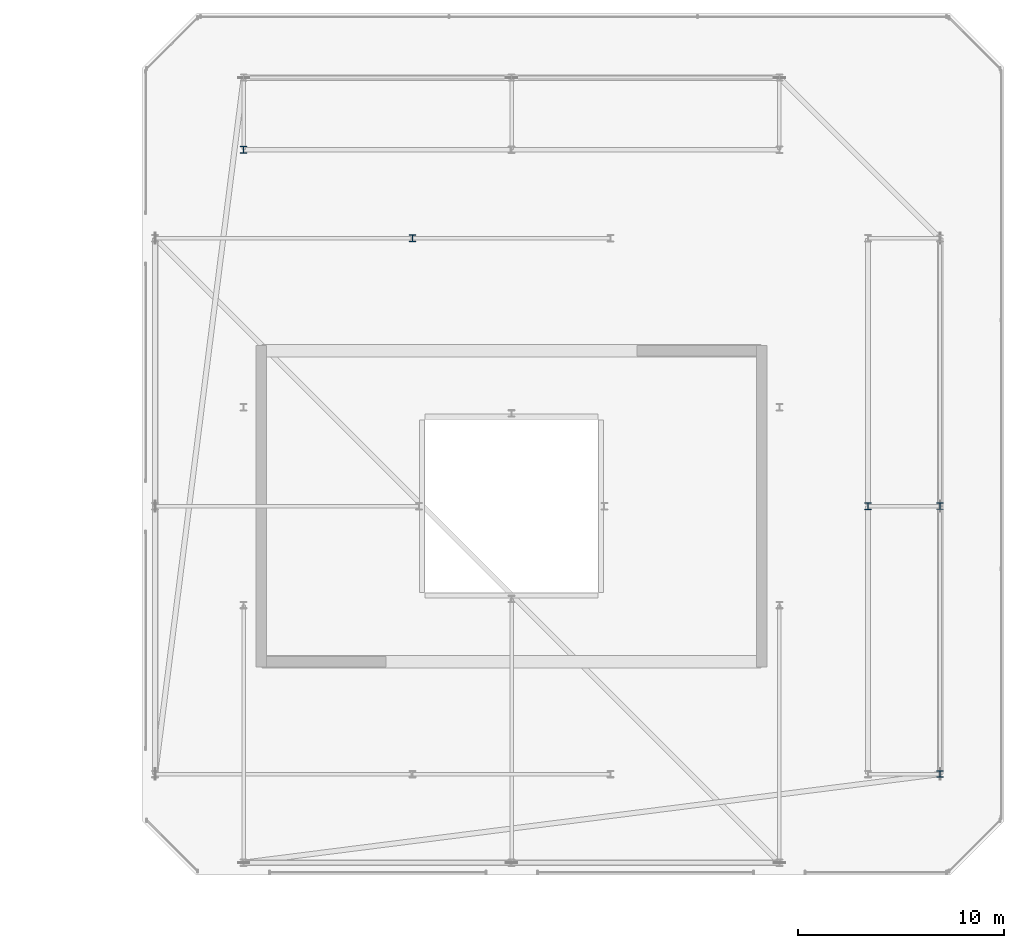
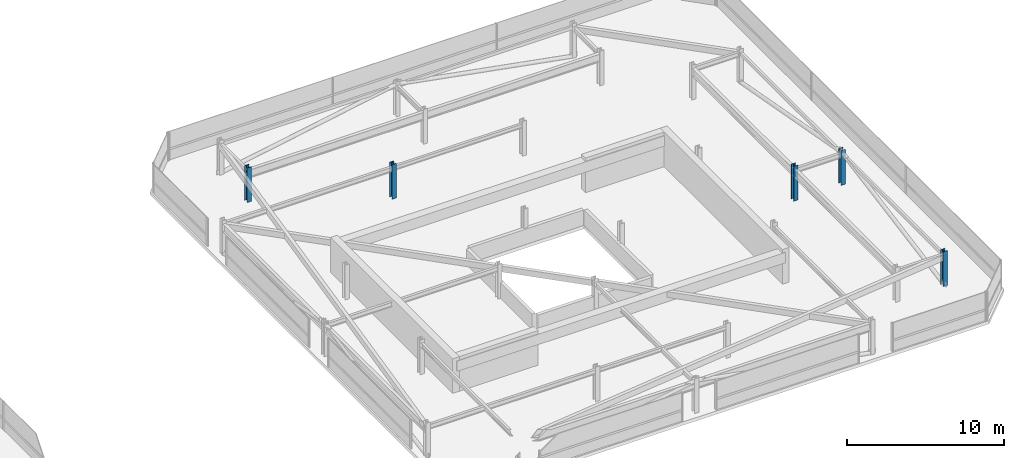
# One storey, part 5 of 42: 5 columns.
"""IFC4 building model written with IfcOpenShell, lengths in metres."""

from ifc_helpers import new_model, si_unit, direction, frame, origin, origin_2d, place, context, subcontext, project, spatial, i_section, extrude, material, material_profile, profile_set, type_object, element, save


model = new_model("IFC4")

# Units and contexts
model_context = context("Model", 3, precision=1e-05, world=origin(), true_north=direction((0.0, 1.0)))
body_context = subcontext(model_context, "Body", "Model", "MODEL_VIEW")
ifc_project = project(units=[si_unit("LENGTHUNIT", "METRE"), si_unit("AREAUNIT", "SQUARE_METRE"), si_unit("VOLUMEUNIT", "CUBIC_METRE"), si_unit("PLANEANGLEUNIT", "RADIAN"), si_unit("MASSUNIT", "GRAM", prefix="KILO")], contexts=[model_context])

# Site, building, storey
site_placement = place(None, origin())
site = spatial("IfcSite", under=ifc_project, at=site_placement, CompositionType="ELEMENT")
building_placement = place(site_placement, origin())
building = spatial("IfcBuilding", under=site, at=building_placement, Name="Thornwick Lancets Civic Towers", CompositionType="ELEMENT")
storey_placement = place(building_placement, frame((0.0, 0.0, 289.5)))
storey = spatial("IfcBuildingStorey", under=building, at=storey_placement, Name="C04", CompositionType="ELEMENT", Elevation=289.5)

# Columns
ifc_material = material(Name="Steel S355JR", Category="steel")
ifc_material_profile_1 = material_profile(ifc_material, i_section(OverallWidth=0.30908203125, OverallDepth=0.320556640625, WebThickness=0.013916015625, FlangeThickness=0.021728515625, FilletRadius=0.01513671875, at=origin_2d()), Name="UKC 305x305x137")
ifc_profile_set_1 = profile_set([ifc_material_profile_1], Name="Steel S355JR")
column_type_1 = type_object("IfcColumnType", Name="COL_UKC_137", PredefinedType="COLUMN", material=ifc_profile_set_1)
for number, where, z_axis, x_axis, name in (
    (1, (109.300048828125, 14.0, 0.0), (0.0, 0.0, 1.0), (1.0, 0.0, 0.0), "C04 Block Perimeter Column B01"),
    (2, (109.300048828125, 27.0, 0.0), (0.0, 0.0, 1.0), (1.0, 0.0, 0.0), "C04 Block Perimeter Column B02"),
):
    element("IfcColumn", number, at=place(storey_placement, frame(where, z_axis=z_axis, x_axis=x_axis)), inside=storey, type_object=column_type_1, Name=name, PredefinedType="COLUMN", context=body_context, shape_type="SweptSolid", body=[
        extrude(i_section(OverallWidth=0.30908203125, OverallDepth=0.320556640625, WebThickness=0.013916015625, FlangeThickness=0.021728515625, FilletRadius=0.01513671875, at=origin_2d()), origin(), (0.0, 0.0, 1.0), 2.699951171875),
    ])
ifc_material_profile_2 = material_profile(ifc_material, i_section(OverallWidth=0.314453125, OverallDepth=0.33984375, WebThickness=0.01904296875, FlangeThickness=0.031494140625, FilletRadius=0.01513671875, at=origin_2d()), Name="UKC 305x305x198")
ifc_profile_set_2 = profile_set([ifc_material_profile_2], Name="Steel S355JR")
column_type_2 = type_object("IfcColumnType", Name="COL_UKC_198", PredefinedType="COLUMN", material=ifc_profile_set_2)
for number, where, z_axis, x_axis, name in (
    (3, (105.800048828125, 27.0, 0.0), (0.0, 0.0, 1.0), (1.0, 0.0, 0.0), "C04 Spine Mega-Column B02"),
    (4, (75.5, 44.300048828125, 0.0), (0.0, 0.0, 1.0), (1.0, 0.0, 0.0), "C04 Spine Mega-Column B06"),
    (5, (83.699951171875, 40.0, 0.0), (0.0, 0.0, 1.0), (1.0, 0.0, 0.0), "C04 Spine Mega-Column B16"),
):
    element("IfcColumn", number, at=place(storey_placement, frame(where, z_axis=z_axis, x_axis=x_axis)), inside=storey, type_object=column_type_2, Name=name, PredefinedType="COLUMN", context=body_context, shape_type="SweptSolid", body=[
        extrude(i_section(OverallWidth=0.314453125, OverallDepth=0.33984375, WebThickness=0.01904296875, FlangeThickness=0.031494140625, FilletRadius=0.01513671875, at=origin_2d()), origin(), (0.0, 0.0, 1.0), 2.699951171875),
    ])

save(model, "model.ifc")
